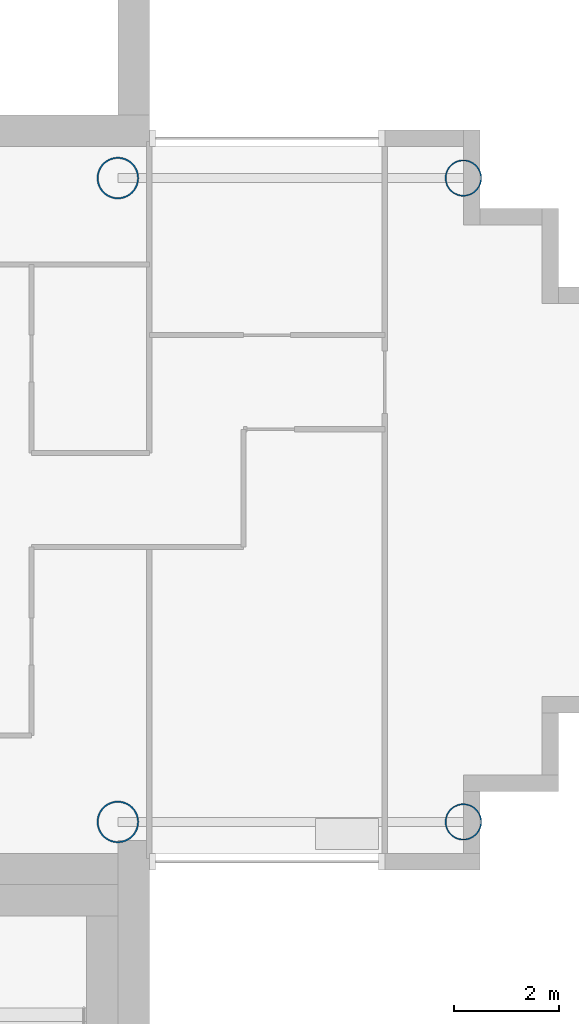
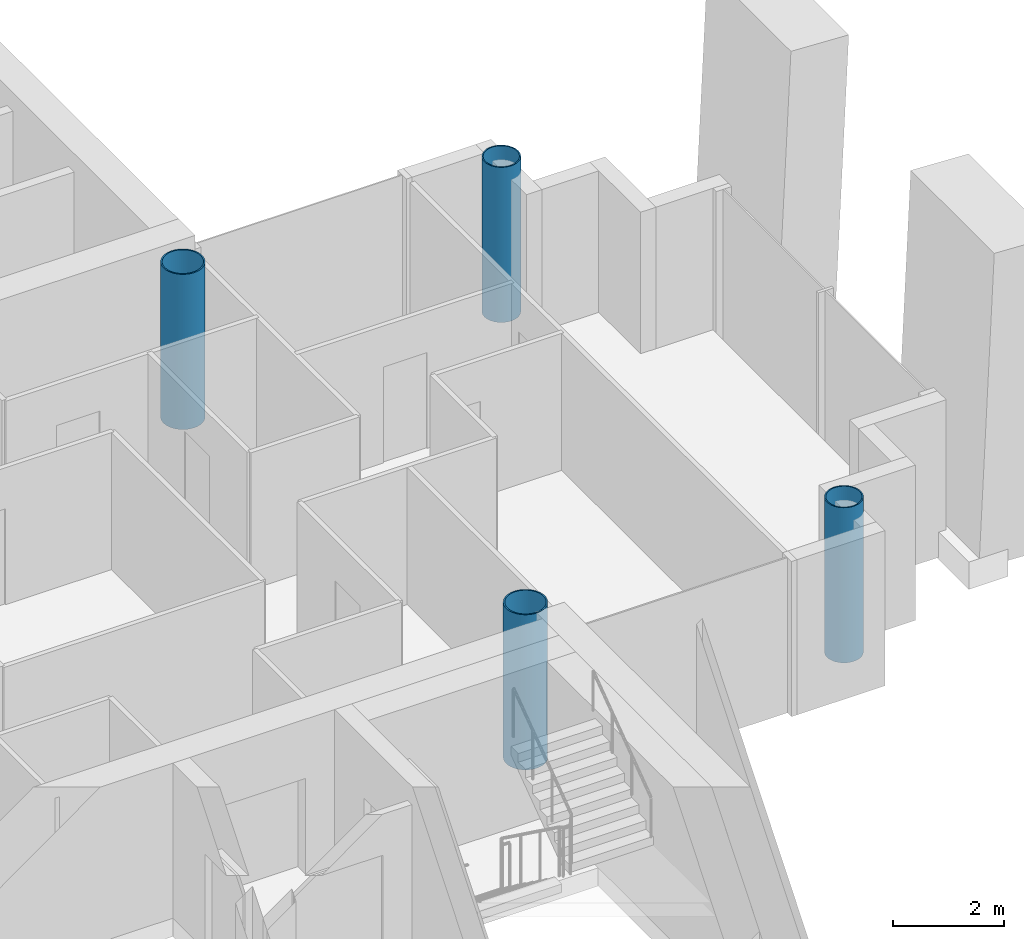
# One storey, part 2 of 18: 4 columns.
"""IFC4 building model written with IfcOpenShell, lengths in metres."""

from ifc_helpers import new_model, si_unit, direction, frame, origin, origin_2d, place, context, subcontext, project, spatial, hollow_circle, extrude, material, material_profile, profile_set, type_object, element, save


model = new_model("IFC4")

# Units and contexts
model_context = context("Model", 3, precision=1e-05, world=origin(), true_north=direction((0.0, 1.0)))
body_context = subcontext(model_context, "Body", "Model", "MODEL_VIEW")
ifc_project = project(units=[si_unit("LENGTHUNIT", "METRE"), si_unit("AREAUNIT", "SQUARE_METRE"), si_unit("VOLUMEUNIT", "CUBIC_METRE"), si_unit("PLANEANGLEUNIT", "RADIAN"), si_unit("MASSUNIT", "GRAM", prefix="KILO")], contexts=[model_context])

# Site, building, storey
site_placement = place(None, origin())
site = spatial("IfcSite", under=ifc_project, at=site_placement, CompositionType="ELEMENT")
building_placement = place(site_placement, origin())
building = spatial("IfcBuilding", under=site, at=building_placement, Name="Ipe Terrace Towers", CompositionType="ELEMENT")
storey_placement = place(building_placement, frame((0.0, 0.0, 209.60009765625)))
storey = spatial("IfcBuildingStorey", under=building, at=storey_placement, Name="L58", CompositionType="ELEMENT", Elevation=209.60009765625)

# Columns
ifc_material_1 = material(Name="Steel S355 tube with Concrete C60/75 fill", Category="concrete")
ifc_material_profile_1 = material_profile(ifc_material_1, hollow_circle(Radius=0.35009765625, WallThickness=0.02490234375, at=origin_2d()), Name="CHS-700x25")
ifc_profile_set_1 = profile_set([ifc_material_profile_1], Name="Steel S355 tube with Concrete C60/75 fill")
column_type_1 = type_object("IfcColumnType", Name="CH08 COLUMN CHS-700x25", PredefinedType="COLUMN", material=ifc_profile_set_1)
for number, where, z_axis, x_axis, name in (
    (1, (48.75, -6.14990234375, 0.0), (0.0, 0.0, 1.0), (1.0, 0.0, 0.0), "Column T2-C-D01"),
    (2, (48.75, 6.14990234375, 0.0), (0.0, 0.0, 1.0), (1.0, 0.0, 0.0), "Column T2-C-D02"),
):
    element("IfcColumn", number, at=place(storey_placement, frame(where, z_axis=z_axis, x_axis=x_axis)), inside=storey, type_object=column_type_1, Name=name, PredefinedType="COLUMN", context=body_context, shape_type="SweptSolid", body=[
        extrude(hollow_circle(Radius=0.35009765625, WallThickness=0.02490234375, at=origin_2d()), origin(), (0.0, 0.0, 1.0), 3.39990234375),
    ])
ifc_material_2 = material(Name="Steel S355 tube with Concrete C60/75 fill", Category="concrete")
ifc_material_profile_2 = material_profile(ifc_material_2, hollow_circle(Radius=0.39990234375, WallThickness=0.028076171875, at=origin_2d()), Name="CHS-800x28")
ifc_profile_set_2 = profile_set([ifc_material_profile_2], Name="Steel S355 tube with Concrete C60/75 fill")
column_type_2 = type_object("IfcColumnType", Name="CH09 COLUMN CHS-800x28", PredefinedType="COLUMN", material=ifc_profile_set_2)
for number, where, z_axis, x_axis, name in (
    (3, (42.14990234375, -6.14990234375, 0.0), (0.0, 0.0, 1.0), (1.0, 0.0, 0.0), "Column T2-C-E01"),
    (4, (42.14990234375, 6.14990234375, 0.0), (0.0, 0.0, 1.0), (1.0, 0.0, 0.0), "Column T2-C-E02"),
):
    element("IfcColumn", number, at=place(storey_placement, frame(where, z_axis=z_axis, x_axis=x_axis)), inside=storey, type_object=column_type_2, Name=name, PredefinedType="COLUMN", context=body_context, shape_type="SweptSolid", body=[
        extrude(hollow_circle(Radius=0.39990234375, WallThickness=0.028076171875, at=origin_2d()), origin(), (0.0, 0.0, 1.0), 3.39990234375),
    ])

save(model, "model.ifc")
